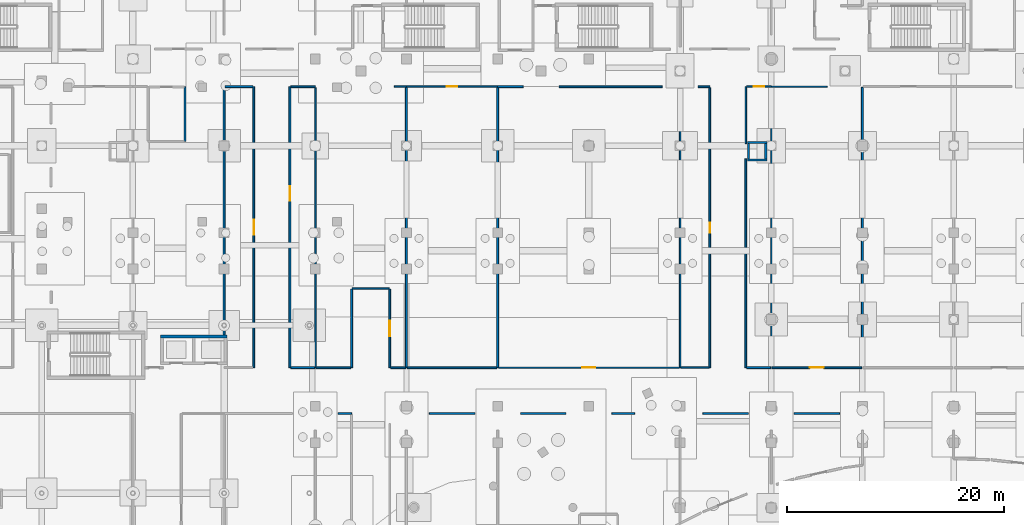
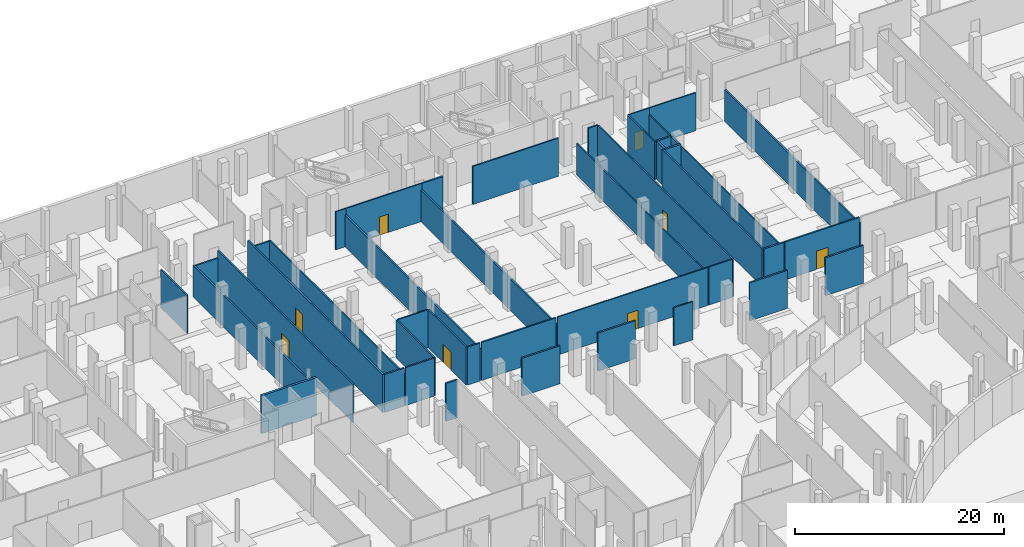
# One storey, part 33 of 45: 44 walls, 8 doors, 8 openings.
"""IFC4 building model written with IfcOpenShell, lengths in metres."""

from ifc_helpers import new_model, si_unit, direction, frame, frame_2d, origin, place, context, subcontext, project, spatial, rectangle, extrude, material, layer, layer_set, type_object, element, fill, save


model = new_model("IFC4")

# Units and contexts
model_context = context("Model", 3, precision=1e-05, world=origin(), true_north=direction((0.0, 1.0)))
body_context = subcontext(model_context, "Body", "Model", "MODEL_VIEW")
ifc_project = project(units=[si_unit("LENGTHUNIT", "METRE"), si_unit("AREAUNIT", "SQUARE_METRE"), si_unit("VOLUMEUNIT", "CUBIC_METRE"), si_unit("PLANEANGLEUNIT", "RADIAN"), si_unit("MASSUNIT", "GRAM", prefix="KILO")], contexts=[model_context])

# Site, building, storey
site_placement = place(None, origin())
site = spatial("IfcSite", under=ifc_project, at=site_placement, CompositionType="ELEMENT")
building_placement = place(site_placement, origin())
building = spatial("IfcBuilding", under=site, at=building_placement, Name="Selatvlak General Hospital", CompositionType="ELEMENT")
storey_placement = place(building_placement, frame((0.0, 0.0, -4.800048828125)))
storey = spatial("IfcBuildingStorey", under=building, at=storey_placement, Name="B1", CompositionType="ELEMENT", Elevation=-4.800048828125)

# Walls
ifc_material_1 = material(Name="Concrete C40/50", Category="concrete")
ifc_layer_1 = layer(ifc_material_1, 0.199951171875, Name="Concrete C40/50", Category="concrete")
ifc_layer_set_1 = layer_set([ifc_layer_1], Name="Concrete C40/50")
wall_type_1 = type_object("IfcWallType", Name="WALL-IW-02", PredefinedType="SOLIDWALL", material=ifc_layer_set_1)
wall_1_placement = place(storey_placement, frame((121.39990234375, 98.699951171875, 0.0), z_axis=(0.0, 0.0, 1.0), x_axis=(1.0, 0.0, 0.0)))
element("IfcWall", 1, at=wall_1_placement, inside=storey, type_object=wall_type_1, Name="Service riser 2 shaft wall B1 S", PredefinedType="SOLIDWALL", context=body_context, shape_type="SweptSolid", body=[
    extrude(rectangle(XDim=1.800048828125, YDim=0.199951171875, at=frame_2d((0.89990234375, 0.0))), origin(), (0.0, 0.0, 1.0), 4.449951171875),
])
wall_2_placement = place(storey_placement, frame((123.10009765625, 98.800048828125, 0.0), z_axis=(0.0, 0.0, 1.0), x_axis=(0.0, 1.0, 0.0)))
element("IfcWall", 2, at=wall_2_placement, inside=storey, type_object=wall_type_1, Name="Service riser 2 shaft wall B1 E", PredefinedType="SOLIDWALL", context=body_context, shape_type="SweptSolid", body=[
    extrude(rectangle(XDim=1.39990234375, YDim=0.199951171875, at=frame_2d((0.699951171875, 0.0))), origin(), (0.0, 0.0, 1.0), 4.449951171875),
])
wall_3_placement = place(storey_placement, frame((123.199951171875, 100.300048828125, 0.0), z_axis=(0.0, 0.0, 1.0), x_axis=(-1.0, 0.0, 0.0)))
element("IfcWall", 3, at=wall_3_placement, inside=storey, type_object=wall_type_1, Name="Service riser 2 shaft wall B1 N", PredefinedType="SOLIDWALL", context=body_context, shape_type="SweptSolid", body=[
    extrude(rectangle(XDim=1.800048828125, YDim=0.199951171875, at=frame_2d((0.89990234375, 0.0))), origin(), (0.0, 0.0, 1.0), 4.449951171875),
])
wall_4_placement = place(storey_placement, frame((121.5, 100.199951171875, 0.0), z_axis=(0.0, 0.0, 1.0), x_axis=(0.0, -1.0, 0.0)))
element("IfcWall", 4, at=wall_4_placement, inside=storey, type_object=wall_type_1, Name="Service riser 2 shaft wall B1 W", PredefinedType="SOLIDWALL", context=body_context, shape_type="SweptSolid", body=[
    extrude(rectangle(XDim=1.39990234375, YDim=0.199951171875, at=frame_2d((0.699951171875, 0.0))), origin(), (0.0, 0.0, 1.0), 4.449951171875),
])
ifc_material_2 = material(Name="Acoustic gypsum stud partition")
ifc_layer_2 = layer(ifc_material_2, 0.179931640625, Name="Acoustic gypsum stud partition")
ifc_layer_set_2 = layer_set([ifc_layer_2], Name="Acoustic gypsum stud partition")
wall_type_2 = type_object("IfcWallType", Name="WALL-PT-01", PredefinedType="PARTITIONING", material=ifc_layer_set_2)
wall_5_placement = place(storey_placement, frame((83.7080078125, 75.340087890625, 0.0), z_axis=(0.0, 0.0, 1.0), x_axis=(1.0, 0.0, 0.0)))
element("IfcWall", 5, at=wall_5_placement, inside=storey, type_object=wall_type_2, Name="B1 clinical partition PT-B1-0126", PredefinedType="PARTITIONING", context=body_context, shape_type="SweptSolid", body=[
    extrude(rectangle(XDim=1.23193359375, YDim=0.179931640625, at=frame_2d((0.615966796875, 0.0))), origin(), (0.0, 0.0, 1.0), 4.449951171875),
])
wall_6_placement = place(storey_placement, frame((92.10791015625, 75.340087890625, 0.0), z_axis=(0.0, 0.0, 1.0), x_axis=(1.0, 0.0, 0.0)))
element("IfcWall", 6, at=wall_6_placement, inside=storey, type_object=wall_type_2, Name="B1 clinical partition PT-B1-0135", PredefinedType="PARTITIONING", context=body_context, shape_type="SweptSolid", body=[
    extrude(rectangle(XDim=4.18408203125, YDim=0.179931640625, at=frame_2d((2.092041015625, 0.0))), origin(), (0.0, 0.0, 1.0), 4.449951171875),
])
for number, where, z_axis, x_axis, name in (
    (7, (100.508056640625, 75.340087890625, 0.0), (0.0, 0.0, 1.0), (1.0, 0.0, 0.0), "B1 clinical partition PT-B1-0147"),
    (8, (117.30810546875, 75.340087890625, 0.0), (0.0, 0.0, 1.0), (1.0, 0.0, 0.0), "B1 clinical partition PT-B1-0165"),
):
    element("IfcWall", number, at=place(storey_placement, frame(where, z_axis=z_axis, x_axis=x_axis)), inside=storey, type_object=wall_type_2, Name=name, PredefinedType="PARTITIONING", context=body_context, shape_type="SweptSolid", body=[
        extrude(rectangle(XDim=4.183837890625, YDim=0.179931640625, at=frame_2d((2.091796875, 0.0))), origin(), (0.0, 0.0, 1.0), 4.449951171875),
    ])
wall_7_placement = place(storey_placement, frame((125.7080078125, 75.340087890625, 0.0), z_axis=(0.0, 0.0, 1.0), x_axis=(1.0, 0.0, 0.0)))
element("IfcWall", 9, at=wall_7_placement, inside=storey, type_object=wall_type_2, Name="B1 clinical partition PT-B1-0174", PredefinedType="PARTITIONING", context=body_context, shape_type="SweptSolid", body=[
    extrude(rectangle(XDim=4.18408203125, YDim=0.179931640625, at=frame_2d((2.092041015625, 0.0))), origin(), (0.0, 0.0, 1.0), 4.449951171875),
])
wall_8_placement = place(storey_placement, frame((73.199951171875, 105.43994140625, 0.0), z_axis=(0.0, 0.0, 1.0), x_axis=(0.0, -1.0, 0.0)))
element("IfcWall", 10, at=wall_8_placement, inside=storey, type_object=wall_type_2, Name="B1 clinical partition PT-B1-0267", PredefinedType="PARTITIONING", context=body_context, shape_type="SweptSolid", body=[
    extrude(rectangle(XDim=22.892822265625, YDim=0.179931640625, at=frame_2d((11.4462890625, 0.0))), origin(), (0.0, 0.0, 1.0), 3.699951171875),
])

# Wall, opening, door
wall_9_placement = place(storey_placement, frame((79.260009765625, 79.56005859375, 0.0), z_axis=(0.0, 0.0, 1.0), x_axis=(0.0, 1.0, 0.0)))
wall_9 = element("IfcWall", 11, at=wall_9_placement, inside=storey, type_object=wall_type_2, Name="B1 clinical partition PT-B1-0270", PredefinedType="PARTITIONING", context=body_context, shape_type="SweptSolid", body=[
    extrude(rectangle(XDim=25.8798828125, YDim=0.179931640625, at=frame_2d((12.93994140625, 0.0))), origin(), (0.0, 0.0, 1.0), 4.449951171875),
])
opening_1_placement = place(wall_9_placement, frame((15.37109375, 0.0, 0.0)))
opening_1 = element("IfcOpeningElement", 12, at=opening_1_placement, cuts=wall_9, Name="Opening D-10", PredefinedType="OPENING", context=body_context, shape_type="SweptSolid", body=[
    extrude(rectangle(XDim=1.35009765625, YDim=2.14990234375, at=frame_2d((0.675048828125, 1.074951171875))), frame((0.0, 0.099853515625, 0.0), z_axis=(0.0, -1.0, 0.0), x_axis=(1.0, 0.0, 0.0)), (0.0, 0.0, 1.0), 0.199951171875),
])
ifc_material_3 = material(Name="Single patient bed door")
door_type_1 = type_object("IfcDoorType", Name="DOOR-D-10", OperationType="NOTDEFINED", PredefinedType="DOOR", material=ifc_material_3)
door_1_placement = place(opening_1_placement, origin())
door_1 = element("IfcDoor", 13, at=door_1_placement, inside=storey, type_object=door_type_1, Name="B1 Bulk Pharmacy Store 59 door", OperationType="SINGLE_SWING_LEFT", OverallHeight=2.14990234375, OverallWidth=1.35009765625, PredefinedType="DOOR", context=body_context, shape_type="SweptSolid", body=[
    extrude(rectangle(XDim=1.35009765625, YDim=2.14990234375, at=frame_2d((0.675048828125, 1.074951171875))), frame((0.0, 0.02490234375, 0.0), z_axis=(0.0, -1.0, 0.0), x_axis=(1.0, 0.0, 0.0)), (0.0, 0.0, 1.0), 0.050048828125),
])
fill(opening_1, door_1)

# Walls
wall_10_placement = place(storey_placement, frame((81.535888671875, 79.56005859375, 0.0), z_axis=(0.0, 0.0, 1.0), x_axis=(-1.0, 0.0, 0.0)))
element("IfcWall", 14, at=wall_10_placement, inside=storey, type_object=wall_type_2, Name="B1 clinical partition PT-B1-0273", PredefinedType="PARTITIONING", context=body_context, shape_type="SweptSolid", body=[
    extrude(rectangle(XDim=2.18994140625, YDim=0.179931640625, at=frame_2d((1.094970703125, 0.0))), origin(), (0.0, 0.0, 1.0), 4.449951171875),
])
wall_11_placement = place(storey_placement, frame((73.285888671875, 105.43994140625, 0.0), z_axis=(0.0, 0.0, 1.0), x_axis=(1.0, 0.0, 0.0)))
element("IfcWall", 15, at=wall_11_placement, inside=storey, type_object=wall_type_2, Name="B1 clinical partition PT-B1-0276", PredefinedType="PARTITIONING", context=body_context, shape_type="SweptSolid", body=[
    extrude(rectangle(XDim=2.5751953125, YDim=0.179931640625, at=frame_2d((1.28759765625, 0.0))), origin(), (0.0, 0.0, 1.0), 3.60009765625),
])
wall_12_placement = place(storey_placement, frame((84.93994140625, 86.800048828125, 0.0), z_axis=(0.0, 0.0, 1.0), x_axis=(0.0, -1.0, 0.0)))
element("IfcWall", 16, at=wall_12_placement, inside=storey, type_object=wall_type_2, Name="B1 clinical partition PT-B1-0279", PredefinedType="PARTITIONING", context=body_context, shape_type="SweptSolid", body=[
    extrude(rectangle(XDim=7.239990234375, YDim=0.179931640625, at=frame_2d((3.6201171875, 0.0))), origin(), (0.0, 0.0, 1.0), 4.449951171875),
])
for number, where, z_axis, x_axis, name in (
    (17, (90.0, 105.3759765625, 0.0), (0.0, 0.0, 1.0), (0.0, -1.0, 0.0), "B1 clinical partition PT-B1-0282"),
    (18, (98.39990234375, 105.3759765625, 0.0), (0.0, 0.0, 1.0), (0.0, -1.0, 0.0), "B1 clinical partition PT-B1-0285"),
):
    element("IfcWall", number, at=place(storey_placement, frame(where, z_axis=z_axis, x_axis=x_axis)), inside=storey, type_object=wall_type_2, Name=name, PredefinedType="PARTITIONING", context=body_context, shape_type="SweptSolid", body=[
        extrude(rectangle(XDim=25.81591796875, YDim=0.179931640625, at=frame_2d((12.907958984375, 0.0))), origin(), (0.0, 0.0, 1.0), 3.699951171875),
    ])
wall_13_placement = place(storey_placement, frame((98.39990234375, 105.43994140625, 0.0), z_axis=(0.0, 0.0, 1.0), x_axis=(1.0, 0.0, 0.0)))
element("IfcWall", 19, at=wall_13_placement, inside=storey, type_object=wall_type_2, Name="B1 clinical partition PT-B1-0290", PredefinedType="PARTITIONING", context=body_context, shape_type="SweptSolid", body=[
    extrude(rectangle(XDim=2.343994140625, YDim=0.179931640625, at=frame_2d((1.171875, 0.0))), origin(), (0.0, 0.0, 1.0), 4.449951171875),
])
wall_14_placement = place(storey_placement, frame((123.5439453125, 79.56005859375, 0.0), z_axis=(0.0, 0.0, 1.0), x_axis=(-1.0, 0.0, 0.0)))
element("IfcWall", 20, at=wall_14_placement, inside=storey, type_object=wall_type_2, Name="B1 clinical partition PT-B1-0295", PredefinedType="PARTITIONING", context=body_context, shape_type="SweptSolid", body=[
    extrude(rectangle(XDim=2.204833984375, YDim=0.179931640625, at=frame_2d((1.1025390625, 0.0))), origin(), (0.0, 0.0, 1.0), 4.449951171875),
])
wall_15_placement = place(storey_placement, frame((132.0, 105.3779296875, 0.0), z_axis=(0.0, 0.0, 1.0), x_axis=(0.0, -1.0, 0.0)))
element("IfcWall", 21, at=wall_15_placement, inside=storey, type_object=wall_type_2, Name="B1 clinical partition PT-B1-0300", PredefinedType="PARTITIONING", context=body_context, shape_type="SweptSolid", body=[
    extrude(rectangle(XDim=25.81787109375, YDim=0.179931640625, at=frame_2d((12.908935546875, 0.0))), origin(), (0.0, 0.0, 1.0), 3.699951171875),
])
ifc_layer_3 = layer(ifc_material_2, 0.1650390625, Name="Acoustic gypsum stud partition")
ifc_layer_set_3 = layer_set([ifc_layer_3], Name="Acoustic gypsum stud partition")
wall_type_3 = type_object("IfcWallType", Name="WALL-PT-02", PredefinedType="PARTITIONING", material=ifc_layer_set_3)
wall_16_placement = place(storey_placement, frame((69.60009765625, 105.419921875, 0.0), z_axis=(0.0, 0.0, 1.0), x_axis=(0.0, -1.0, 0.0)))
element("IfcWall", 22, at=wall_16_placement, inside=storey, type_object=wall_type_3, Name="B1 clinical partition PT-B1-0001", PredefinedType="PARTITIONING", context=body_context, shape_type="SweptSolid", body=[
    extrude(rectangle(XDim=5.02001953125, YDim=0.1650390625, at=frame_2d((2.510009765625, 0.0))), origin(), (0.0, 0.0, 1.0), 4.449951171875),
])
wall_17_placement = place(storey_placement, frame((108.907958984375, 75.340087890625, 0.0), z_axis=(0.0, 0.0, 1.0), x_axis=(1.0, 0.0, 0.0)))
element("IfcWall", 23, at=wall_17_placement, inside=storey, type_object=wall_type_3, Name="B1 clinical partition PT-B1-0148", PredefinedType="PARTITIONING", context=body_context, shape_type="SweptSolid", body=[
    extrude(rectangle(XDim=2.114990234375, YDim=0.1650390625, at=frame_2d((1.0576171875, 0.0))), origin(), (0.0, 0.0, 1.0), 4.449951171875),
])
wall_18_placement = place(storey_placement, frame((79.345947265625, 105.43994140625, 0.0), z_axis=(0.0, 0.0, 1.0), x_axis=(1.0, 0.0, 0.0)))
element("IfcWall", 24, at=wall_18_placement, inside=storey, type_object=wall_type_3, Name="B1 clinical partition PT-B1-0271", PredefinedType="PARTITIONING", context=body_context, shape_type="SweptSolid", body=[
    extrude(rectangle(XDim=2.254150390625, YDim=0.1650390625, at=frame_2d((1.126953125, 0.0))), origin(), (0.0, 0.0, 1.0), 3.60009765625),
])

# Wall, opening, door
wall_19_placement = place(storey_placement, frame((75.93994140625, 105.43994140625, 0.0), z_axis=(0.0, 0.0, 1.0), x_axis=(0.0, -1.0, 0.0)))
wall_19 = element("IfcWall", 25, at=wall_19_placement, inside=storey, type_object=wall_type_3, Name="B1 clinical partition PT-B1-0274", PredefinedType="PARTITIONING", context=body_context, shape_type="SweptSolid", body=[
    extrude(rectangle(XDim=25.8798828125, YDim=0.1650390625, at=frame_2d((12.93994140625, 0.0))), origin(), (0.0, 0.0, 1.0), 4.449951171875),
])
opening_2_placement = place(wall_19_placement, frame((12.239990234375, 0.0, 0.0)))
opening_2 = element("IfcOpeningElement", 26, at=opening_2_placement, cuts=wall_19, Name="Opening D-11", PredefinedType="OPENING", context=body_context, shape_type="SweptSolid", body=[
    extrude(rectangle(XDim=1.39990234375, YDim=2.14990234375, at=frame_2d((0.699951171875, 1.074951171875))), frame((0.0, 0.092529296875, 0.0), z_axis=(0.0, -1.0, 0.0), x_axis=(1.0, 0.0, 0.0)), (0.0, 0.0, 1.0), 0.18505859375),
])
ifc_material_4 = material(Name="Inpatient suite bed door")
door_type_2 = type_object("IfcDoorType", Name="DOOR-D-11", OperationType="NOTDEFINED", PredefinedType="DOOR", material=ifc_material_4)
door_2_placement = place(opening_2_placement, origin())
door_2 = element("IfcDoor", 27, at=door_2_placement, inside=storey, type_object=door_type_2, Name="B1 Central Chiller Plant 60 door", OperationType="SINGLE_SWING_RIGHT", OverallHeight=2.14990234375, OverallWidth=1.39990234375, PredefinedType="DOOR", context=body_context, shape_type="SweptSolid", body=[
    extrude(rectangle(XDim=1.39990234375, YDim=2.14990234375, at=frame_2d((0.699951171875, 1.074951171875))), frame((0.0, 0.02490234375, 0.0), z_axis=(0.0, -1.0, 0.0), x_axis=(1.0, 0.0, 0.0)), (0.0, 0.0, 1.0), 0.050048828125),
])
fill(opening_2, door_2)

wall_20_placement = place(storey_placement, frame((88.4599609375, 79.56005859375, 0.0), z_axis=(0.0, 0.0, 1.0), x_axis=(0.0, 1.0, 0.0)))
wall_20 = element("IfcWall", 28, at=wall_20_placement, inside=storey, type_object=wall_type_3, Name="B1 clinical partition PT-B1-0277", PredefinedType="PARTITIONING", context=body_context, shape_type="SweptSolid", body=[
    extrude(rectangle(XDim=7.239990234375, YDim=0.1650390625, at=frame_2d((3.6201171875, 0.0))), origin(), (0.0, 0.0, 1.0), 4.449951171875),
])
opening_3_placement = place(wall_20_placement, frame((2.89501953125, 0.0, 0.0)))
opening_3 = element("IfcOpeningElement", 29, at=opening_3_placement, cuts=wall_20, Name="Opening D-12", PredefinedType="OPENING", context=body_context, shape_type="SweptSolid", body=[
    extrude(rectangle(XDim=1.449951171875, YDim=2.14990234375, at=frame_2d((0.72509765625, 1.074951171875))), frame((0.0, 0.092529296875, 0.0), z_axis=(0.0, -1.0, 0.0), x_axis=(1.0, 0.0, 0.0)), (0.0, 0.0, 1.0), 0.18505859375),
])
ifc_material_5 = material(Name="Isolation anteroom door")
door_type_3 = type_object("IfcDoorType", Name="DOOR-D-12", OperationType="NOTDEFINED", PredefinedType="DOOR", material=ifc_material_5)
door_3_placement = place(opening_3_placement, origin())
door_3 = element("IfcDoor", 30, at=door_3_placement, inside=storey, type_object=door_type_3, Name="B1 Two-Way Underground Loop Car Park Aisle 61 door", OperationType="SINGLE_SWING_LEFT", OverallHeight=2.14990234375, OverallWidth=1.449951171875, PredefinedType="DOOR", context=body_context, shape_type="SweptSolid", body=[
    extrude(rectangle(XDim=1.449951171875, YDim=2.14990234375, at=frame_2d((0.72509765625, 1.074951171875))), frame((0.0, 0.02490234375, 0.0), z_axis=(0.0, -1.0, 0.0), x_axis=(1.0, 0.0, 0.0)), (0.0, 0.0, 1.0), 0.050048828125),
])
fill(opening_3, door_3)

# Walls
wall_21_placement = place(storey_placement, frame((84.85400390625, 79.56005859375, 0.0), z_axis=(0.0, 0.0, 1.0), x_axis=(-1.0, 0.0, 0.0)))
element("IfcWall", 31, at=wall_21_placement, inside=storey, type_object=wall_type_3, Name="B1 clinical partition PT-B1-0280", PredefinedType="PARTITIONING", context=body_context, shape_type="SweptSolid", body=[
    extrude(rectangle(XDim=3.19091796875, YDim=0.1650390625, at=frame_2d((1.595458984375, 0.0))), origin(), (0.0, 0.0, 1.0), 4.449951171875),
])
wall_22_placement = place(storey_placement, frame((89.9140625, 79.56005859375, 0.0), z_axis=(0.0, 0.0, 1.0), x_axis=(-1.0, 0.0, 0.0)))
element("IfcWall", 32, at=wall_22_placement, inside=storey, type_object=wall_type_3, Name="B1 clinical partition PT-B1-0283", PredefinedType="PARTITIONING", context=body_context, shape_type="SweptSolid", body=[
    extrude(rectangle(XDim=1.3759765625, YDim=0.1650390625, at=frame_2d((0.68798828125, 0.0))), origin(), (0.0, 0.0, 1.0), 4.449951171875),
])
wall_23_placement = place(storey_placement, frame((98.31396484375, 79.56005859375, 0.0), z_axis=(0.0, 0.0, 1.0), x_axis=(-1.0, 0.0, 0.0)))
element("IfcWall", 33, at=wall_23_placement, inside=storey, type_object=wall_type_3, Name="B1 clinical partition PT-B1-0286", PredefinedType="PARTITIONING", context=body_context, shape_type="SweptSolid", body=[
    extrude(rectangle(XDim=8.22802734375, YDim=0.1650390625, at=frame_2d((4.114013671875, 0.0))), origin(), (0.0, 0.0, 1.0), 4.449951171875),
])
wall_24_placement = place(storey_placement, frame((121.260009765625, 79.56005859375, 0.0), z_axis=(0.0, 0.0, 1.0), x_axis=(0.0, 1.0, 0.0)))
element("IfcWall", 34, at=wall_24_placement, inside=storey, type_object=wall_type_3, Name="B1 clinical partition PT-B1-0291", PredefinedType="PARTITIONING", context=body_context, shape_type="SweptSolid", body=[
    extrude(rectangle(XDim=19.239990234375, YDim=0.1650390625, at=frame_2d((9.6201171875, 0.0))), origin(), (0.0, 0.0, 1.0), 4.449951171875),
])
wall_25_placement = place(storey_placement, frame((116.85595703125, 105.43994140625, 0.0), z_axis=(0.0, 0.0, 1.0), x_axis=(1.0, 0.0, 0.0)))
element("IfcWall", 35, at=wall_25_placement, inside=storey, type_object=wall_type_3, Name="B1 clinical partition PT-B1-0296", PredefinedType="PARTITIONING", context=body_context, shape_type="SweptSolid", body=[
    extrude(rectangle(XDim=1.083984375, YDim=0.1650390625, at=frame_2d((0.5419921875, 0.0))), origin(), (0.0, 0.0, 1.0), 4.449951171875),
])

# Wall, opening, door
wall_26_placement = place(storey_placement, frame((131.9140625, 79.56005859375, 0.0), z_axis=(0.0, 0.0, 1.0), x_axis=(-1.0, 0.0, 0.0)))
wall_26 = element("IfcWall", 36, at=wall_26_placement, inside=storey, type_object=wall_type_3, Name="B1 clinical partition PT-B1-0301", PredefinedType="PARTITIONING", context=body_context, shape_type="SweptSolid", body=[
    extrude(rectangle(XDim=8.258056640625, YDim=0.1650390625, at=frame_2d((4.12890625, 0.0))), origin(), (0.0, 0.0, 1.0), 4.449951171875),
])
opening_4_placement = place(wall_26_placement, frame((3.47900390625, 0.0, 0.0)))
opening_4 = element("IfcOpeningElement", 37, at=opening_4_placement, cuts=wall_26, Name="Opening D-09", PredefinedType="OPENING", context=body_context, shape_type="SweptSolid", body=[
    extrude(rectangle(XDim=1.300048828125, YDim=2.14990234375, at=frame_2d((0.64990234375, 1.074951171875))), frame((0.0, 0.092529296875, 0.0), z_axis=(0.0, -1.0, 0.0), x_axis=(1.0, 0.0, 0.0)), (0.0, 0.0, 1.0), 0.18505859375),
])
ifc_material_6 = material(Name="Outpatient procedure door")
door_type_4 = type_object("IfcDoorType", Name="DOOR-D-09", OperationType="NOTDEFINED", PredefinedType="DOOR", material=ifc_material_6)
door_4_placement = place(opening_4_placement, origin())
door_4 = element("IfcDoor", 38, at=door_4_placement, inside=storey, type_object=door_type_4, Name="B1 Hospital Dietary Kitchen 66 door", OperationType="SINGLE_SWING_RIGHT", OverallHeight=2.14990234375, OverallWidth=1.300048828125, PredefinedType="DOOR", context=body_context, shape_type="SweptSolid", body=[
    extrude(rectangle(XDim=1.300048828125, YDim=2.14990234375, at=frame_2d((0.64990234375, 1.074951171875))), frame((0.0, 0.02490234375, 0.0), z_axis=(0.0, -1.0, 0.0), x_axis=(1.0, 0.0, 0.0)), (0.0, 0.0, 1.0), 0.050048828125),
])
fill(opening_4, door_4)

# Walls
ifc_layer_4 = layer(ifc_material_2, 0.14990234375, Name="Acoustic gypsum stud partition")
ifc_layer_set_4 = layer_set([ifc_layer_4], Name="Acoustic gypsum stud partition")
wall_type_4 = type_object("IfcWallType", Name="WALL-PT-03", PredefinedType="PARTITIONING", material=ifc_layer_set_4)
wall_27_placement = place(storey_placement, frame((104.055908203125, 105.43994140625, 0.0), z_axis=(0.0, 0.0, 1.0), x_axis=(1.0, 0.0, 0.0)))
element("IfcWall", 39, at=wall_27_placement, inside=storey, type_object=wall_type_4, Name="B1 clinical partition PT-B1-0287", PredefinedType="PARTITIONING", context=body_context, shape_type="SweptSolid", body=[
    extrude(rectangle(XDim=9.488037109375, YDim=0.14990234375, at=frame_2d((4.744140625, 0.0))), origin(), (0.0, 0.0, 1.0), 4.449951171875),
])
wall_28_placement = place(storey_placement, frame((121.260009765625, 100.199951171875, 0.0), z_axis=(0.0, 0.0, 1.0), x_axis=(0.0, 1.0, 0.0)))
element("IfcWall", 40, at=wall_28_placement, inside=storey, type_object=wall_type_4, Name="B1 clinical partition PT-B1-0292", PredefinedType="PARTITIONING", context=body_context, shape_type="SweptSolid", body=[
    extrude(rectangle(XDim=5.239990234375, YDim=0.14990234375, at=frame_2d((2.6201171875, 0.0))), origin(), (0.0, 0.0, 1.0), 4.449951171875),
])

# Wall, opening, door
wall_29_placement = place(storey_placement, frame((117.93994140625, 105.361083984375, 0.0), z_axis=(0.0, 0.0, 1.0), x_axis=(0.0, -1.0, 0.0)))
wall_29 = element("IfcWall", 41, at=wall_29_placement, inside=storey, type_object=wall_type_4, Name="B1 clinical partition PT-B1-0297", PredefinedType="PARTITIONING", context=body_context, shape_type="SweptSolid", body=[
    extrude(rectangle(XDim=25.801025390625, YDim=0.14990234375, at=frame_2d((12.900390625, 0.0))), origin(), (0.0, 0.0, 1.0), 4.449951171875),
])
opening_5_placement = place(wall_29_placement, frame((12.450927734375, 0.0, 0.0)))
opening_5 = element("IfcOpeningElement", 42, at=opening_5_placement, cuts=wall_29, Name="Opening D-01", PredefinedType="OPENING", context=body_context, shape_type="SweptSolid", body=[
    extrude(rectangle(XDim=0.89990234375, YDim=2.10009765625, at=frame_2d((0.449951171875, 1.050048828125))), frame((0.0, 0.0849609375, 0.0), z_axis=(0.0, -1.0, 0.0), x_axis=(1.0, 0.0, 0.0)), (0.0, 0.0, 1.0), 0.169921875),
])
ifc_material_7 = material(Name="Hardwood clinical room door", Category="wood")
door_type_5 = type_object("IfcDoorType", Name="DOOR-D-01", OperationType="NOTDEFINED", PredefinedType="DOOR", material=ifc_material_7)
door_5_placement = place(opening_5_placement, origin())
door_5 = element("IfcDoor", 43, at=door_5_placement, inside=storey, type_object=door_type_5, Name="B1 Central Sterile Supply Department 65 door", OperationType="SINGLE_SWING_LEFT", OverallHeight=2.10009765625, OverallWidth=0.89990234375, PredefinedType="DOOR", context=body_context, shape_type="SweptSolid", body=[
    extrude(rectangle(XDim=0.89990234375, YDim=2.10009765625, at=frame_2d((0.449951171875, 1.050048828125))), frame((0.0, 0.02490234375, 0.0), z_axis=(0.0, -1.0, 0.0), x_axis=(1.0, 0.0, 0.0)), (0.0, 0.0, 1.0), 0.050048828125),
])
fill(opening_5, door_5)

# Walls
ifc_material_8 = material(Name="Moisture-resistant clinical partition")
ifc_layer_5 = layer(ifc_material_8, 0.135009765625, Name="Moisture-resistant clinical partition")
ifc_layer_set_5 = layer_set([ifc_layer_5], Name="Moisture-resistant clinical partition")
wall_type_5 = type_object("IfcWallType", Name="WALL-PT-04", PredefinedType="PARTITIONING", material=ifc_layer_set_5)
wall_30_placement = place(storey_placement, frame((81.60009765625, 105.361083984375, 0.0), z_axis=(0.0, 0.0, 1.0), x_axis=(0.0, -1.0, 0.0)))
element("IfcWall", 44, at=wall_30_placement, inside=storey, type_object=wall_type_5, Name="B1 clinical partition PT-B1-0272", PredefinedType="PARTITIONING", context=body_context, shape_type="SweptSolid", body=[
    extrude(rectangle(XDim=25.801025390625, YDim=0.135009765625, at=frame_2d((12.900390625, 0.0))), origin(), (0.0, 0.0, 1.0), 3.699951171875),
])
wall_31_placement = place(storey_placement, frame((88.39990234375, 86.860107421875, 0.0), z_axis=(0.0, 0.0, 1.0), x_axis=(-1.0, 0.0, 0.0)))
element("IfcWall", 45, at=wall_31_placement, inside=storey, type_object=wall_type_5, Name="B1 clinical partition PT-B1-0278", PredefinedType="PARTITIONING", context=body_context, shape_type="SweptSolid", body=[
    extrude(rectangle(XDim=3.39990234375, YDim=0.135009765625, at=frame_2d((1.699951171875, 0.0))), origin(), (0.0, 0.0, 1.0), 4.449951171875),
])
wall_32_placement = place(storey_placement, frame((88.8798828125, 105.43994140625, 0.0), z_axis=(0.0, 0.0, 1.0), x_axis=(1.0, 0.0, 0.0)))
element("IfcWall", 46, at=wall_32_placement, inside=storey, type_object=wall_type_5, Name="B1 clinical partition PT-B1-0281", PredefinedType="PARTITIONING", context=body_context, shape_type="SweptSolid", body=[
    extrude(rectangle(XDim=1.1201171875, YDim=0.135009765625, at=frame_2d((0.56005859375, 0.0))), origin(), (0.0, 0.0, 1.0), 4.449951171875),
])

# Wall, opening, door
wall_33_placement = place(storey_placement, frame((90.0, 105.43994140625, 0.0), z_axis=(0.0, 0.0, 1.0), x_axis=(1.0, 0.0, 0.0)))
wall_33 = element("IfcWall", 47, at=wall_33_placement, inside=storey, type_object=wall_type_5, Name="B1 clinical partition PT-B1-0284", PredefinedType="PARTITIONING", context=body_context, shape_type="SweptSolid", body=[
    extrude(rectangle(XDim=8.39990234375, YDim=0.135009765625, at=frame_2d((4.199951171875, 0.0))), origin(), (0.0, 0.0, 1.0), 4.449951171875),
])
opening_6_placement = place(wall_33_placement, frame((3.699951171875, 0.0, 0.0)))
opening_6 = element("IfcOpeningElement", 48, at=opening_6_placement, cuts=wall_33, Name="Opening D-21", PredefinedType="OPENING", context=body_context, shape_type="SweptSolid", body=[
    extrude(rectangle(XDim=1.0, YDim=2.14990234375, at=frame_2d((0.5, 1.074951171875))), frame((0.0, 0.077392578125, 0.0), z_axis=(0.0, -1.0, 0.0), x_axis=(1.0, 0.0, 0.0)), (0.0, 0.0, 1.0), 0.155029296875),
])
ifc_material_9 = material(Name="Laboratory fire door")
door_type_6 = type_object("IfcDoorType", Name="DOOR-D-21", OperationType="NOTDEFINED", PredefinedType="DOOR", material=ifc_material_9)
door_6_placement = place(opening_6_placement, origin())
door_6 = element("IfcDoor", 49, at=door_6_placement, inside=storey, type_object=door_type_6, Name="B1 Medical Gas Manifold Plant 62 door", OperationType="SINGLE_SWING_RIGHT", OverallHeight=2.14990234375, OverallWidth=1.0, PredefinedType="DOOR", context=body_context, shape_type="SweptSolid", body=[
    extrude(rectangle(XDim=1.0, YDim=2.14990234375, at=frame_2d((0.5, 1.074951171875))), frame((0.0, 0.02490234375, 0.0), z_axis=(0.0, -1.0, 0.0), x_axis=(1.0, 0.0, 0.0)), (0.0, 0.0, 1.0), 0.050048828125),
])
fill(opening_6, door_6)

# Wall
wall_34_placement = place(storey_placement, frame((115.199951171875, 104.68994140625, 0.0), z_axis=(0.0, 0.0, 1.0), x_axis=(0.0, -1.0, 0.0)))
element("IfcWall", 50, at=wall_34_placement, inside=storey, type_object=wall_type_5, Name="B1 clinical partition PT-B1-0288", PredefinedType="PARTITIONING", context=body_context, shape_type="SweptSolid", body=[
    extrude(rectangle(XDim=25.1298828125, YDim=0.135009765625, at=frame_2d((12.56494140625, 0.0))), origin(), (0.0, 0.0, 1.0), 3.699951171875),
])

# Wall, opening, door
wall_35_placement = place(storey_placement, frame((121.3310546875, 105.43994140625, 0.0), z_axis=(0.0, 0.0, 1.0), x_axis=(1.0, 0.0, 0.0)))
wall_35 = element("IfcWall", 51, at=wall_35_placement, inside=storey, type_object=wall_type_5, Name="B1 clinical partition PT-B1-0293", PredefinedType="PARTITIONING", context=body_context, shape_type="SweptSolid", body=[
    extrude(rectangle(XDim=2.26904296875, YDim=0.135009765625, at=frame_2d((1.134521484375, 0.0))), origin(), (0.0, 0.0, 1.0), 4.449951171875),
])
opening_7_placement = place(wall_35_placement, frame((0.658935546875, 0.0, 0.0)))
opening_7 = element("IfcOpeningElement", 52, at=opening_7_placement, cuts=wall_35, Name="Opening D-02", PredefinedType="OPENING", context=body_context, shape_type="SweptSolid", body=[
    extrude(rectangle(XDim=0.949951171875, YDim=2.10009765625, at=frame_2d((0.47509765625, 1.050048828125))), frame((0.0, 0.077392578125, 0.0), z_axis=(0.0, -1.0, 0.0), x_axis=(1.0, 0.0, 0.0)), (0.0, 0.0, 1.0), 0.155029296875),
])
ifc_material_10 = material(Name="Moisture-resistant en-suite door")
door_type_7 = type_object("IfcDoorType", Name="DOOR-D-02", OperationType="NOTDEFINED", PredefinedType="DOOR", material=ifc_material_10)
door_7_placement = place(opening_7_placement, origin())
door_7 = element("IfcDoor", 53, at=door_7_placement, inside=storey, type_object=door_type_7, Name="B1 Hospital Linen Laundry 64 door", OperationType="SINGLE_SWING_RIGHT", OverallHeight=2.10009765625, OverallWidth=0.949951171875, PredefinedType="DOOR", context=body_context, shape_type="SweptSolid", body=[
    extrude(rectangle(XDim=0.949951171875, YDim=2.10009765625, at=frame_2d((0.47509765625, 1.050048828125))), frame((0.0, 0.02490234375, 0.0), z_axis=(0.0, -1.0, 0.0), x_axis=(1.0, 0.0, 0.0)), (0.0, 0.0, 1.0), 0.050048828125),
])
fill(opening_7, door_7)

# Wall
wall_36_placement = place(storey_placement, frame((117.868896484375, 79.56005859375, 0.0), z_axis=(0.0, 0.0, 1.0), x_axis=(-1.0, 0.0, 0.0)))
element("IfcWall", 54, at=wall_36_placement, inside=storey, type_object=wall_type_5, Name="B1 clinical partition PT-B1-0298", PredefinedType="PARTITIONING", context=body_context, shape_type="SweptSolid", body=[
    extrude(rectangle(XDim=2.60498046875, YDim=0.135009765625, at=frame_2d((1.302490234375, 0.0))), origin(), (0.0, 0.0, 1.0), 4.449951171875),
])

# Wall, opening, door
ifc_layer_6 = layer(ifc_material_8, 0.1201171875, Name="Moisture-resistant clinical partition")
ifc_layer_set_6 = layer_set([ifc_layer_6], Name="Moisture-resistant clinical partition")
wall_type_6 = type_object("IfcWallType", Name="WALL-PT-05", PredefinedType="PARTITIONING", material=ifc_layer_set_6)
wall_37_placement = place(storey_placement, frame((115.135986328125, 79.56005859375, 0.0), z_axis=(0.0, 0.0, 1.0), x_axis=(-1.0, 0.0, 0.0)))
wall_37 = element("IfcWall", 55, at=wall_37_placement, inside=storey, type_object=wall_type_6, Name="B1 clinical partition PT-B1-0289", PredefinedType="PARTITIONING", context=body_context, shape_type="SweptSolid", body=[
    extrude(rectangle(XDim=16.64990234375, YDim=0.1201171875, at=frame_2d((8.324951171875, 0.0))), origin(), (0.0, 0.0, 1.0), 4.449951171875),
])
opening_8_placement = place(wall_37_placement, frame((7.72509765625, 0.0, 0.0)))
opening_8 = element("IfcOpeningElement", 56, at=opening_8_placement, cuts=wall_37, Name="Opening D-23", PredefinedType="OPENING", context=body_context, shape_type="SweptSolid", body=[
    extrude(rectangle(XDim=1.199951171875, YDim=2.14990234375, at=frame_2d((0.60009765625, 1.074951171875))), frame((0.0, 0.070068359375, 0.0), z_axis=(0.0, -1.0, 0.0), x_axis=(1.0, 0.0, 0.0)), (0.0, 0.0, 1.0), 0.14013671875),
])
ifc_material_11 = material(Name="Endoscopy clinical door")
door_type_8 = type_object("IfcDoorType", Name="DOOR-D-23", OperationType="NOTDEFINED", PredefinedType="DOOR", material=ifc_material_11)
door_8_placement = place(opening_8_placement, origin())
door_8 = element("IfcDoor", 57, at=door_8_placement, inside=storey, type_object=door_type_8, Name="B1 Mortuary Cold Suite 63 door", OperationType="SINGLE_SWING_LEFT", OverallHeight=2.14990234375, OverallWidth=1.199951171875, PredefinedType="DOOR", context=body_context, shape_type="SweptSolid", body=[
    extrude(rectangle(XDim=1.199951171875, YDim=2.14990234375, at=frame_2d((0.60009765625, 1.074951171875))), frame((0.0, 0.02490234375, 0.0), z_axis=(0.0, -1.0, 0.0), x_axis=(1.0, 0.0, 0.0)), (0.0, 0.0, 1.0), 0.050048828125),
])
fill(opening_8, door_8)

# Walls
wall_38_placement = place(storey_placement, frame((123.60009765625, 105.3759765625, 0.0), z_axis=(0.0, 0.0, 1.0), x_axis=(0.0, -1.0, 0.0)))
element("IfcWall", 58, at=wall_38_placement, inside=storey, type_object=wall_type_6, Name="B1 clinical partition PT-B1-0294", PredefinedType="PARTITIONING", context=body_context, shape_type="SweptSolid", body=[
    extrude(rectangle(XDim=25.81591796875, YDim=0.1201171875, at=frame_2d((12.907958984375, 0.0))), origin(), (0.0, 0.0, 1.0), 3.699951171875),
])
wall_39_placement = place(storey_placement, frame((123.60009765625, 105.43994140625, 0.0), z_axis=(0.0, 0.0, 1.0), x_axis=(1.0, 0.0, 0.0)))
element("IfcWall", 59, at=wall_39_placement, inside=storey, type_object=wall_type_6, Name="B1 clinical partition PT-B1-0299", PredefinedType="PARTITIONING", context=body_context, shape_type="SweptSolid", body=[
    extrude(rectangle(XDim=5.143798828125, YDim=0.1201171875, at=frame_2d((2.57177734375, 0.0))), origin(), (0.0, 0.0, 1.0), 4.449951171875),
])
ifc_layer_7 = layer(ifc_material_1, 0.25, Name="Concrete C40/50", Category="concrete")
ifc_layer_set_7 = layer_set([ifc_layer_7], Name="Concrete C40/50")
wall_type_7 = type_object("IfcWallType", Name="WALL-SW-03", PredefinedType="SHEAR", material=ifc_layer_set_7)
wall_40_placement = place(storey_placement, frame((73.449951171875, 82.425048828125, 0.0), z_axis=(0.0, 0.0, 1.0), x_axis=(-1.0, 0.0, 0.0)))
element("IfcWall", 60, at=wall_40_placement, inside=storey, type_object=wall_type_7, Name="Lift LP-01-LP-02 shaft wall B1 N", PredefinedType="SHEAR", context=body_context, shape_type="SweptSolid", body=[
    extrude(rectangle(XDim=6.099853515625, YDim=0.25, at=frame_2d((3.0498046875, 0.0))), origin(), (0.0, 0.0, 1.0), 4.449951171875),
])

save(model, "model.ifc")
